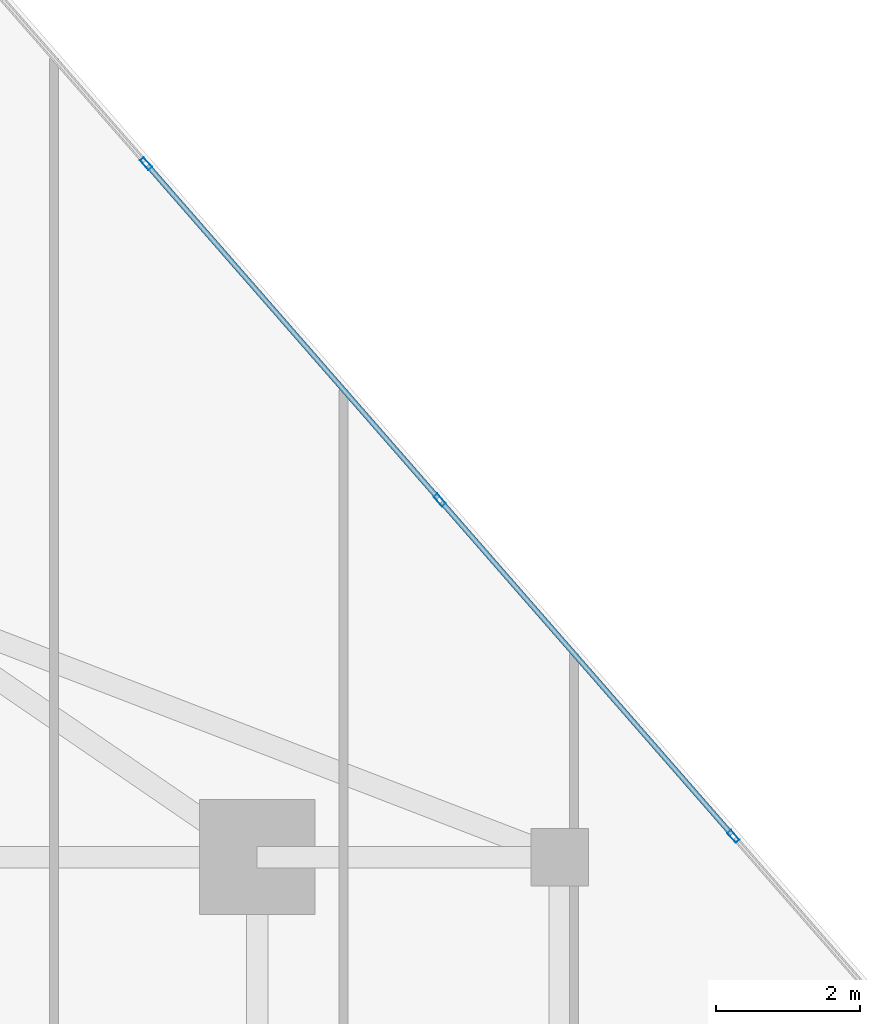
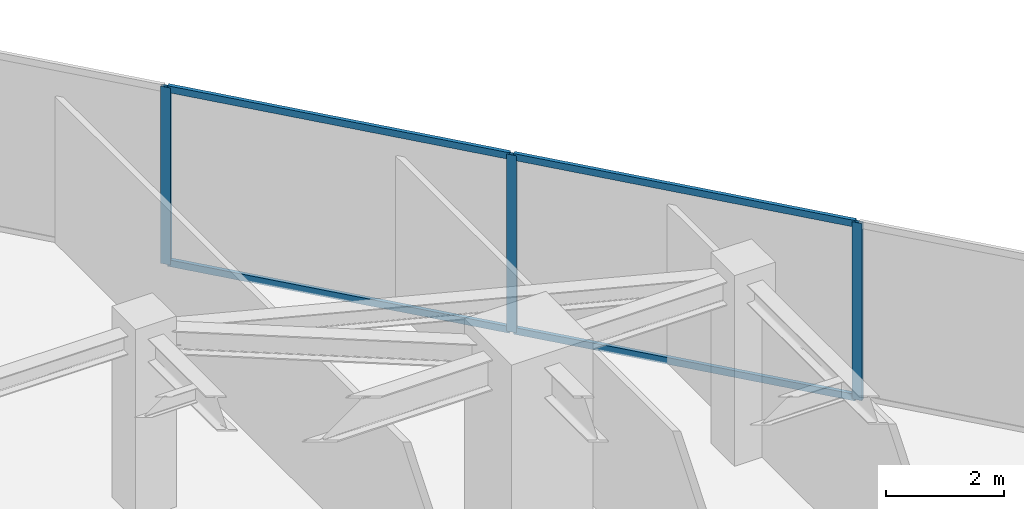
# One storey, part 18 of 24: 7 members, 1 element without a shape of its own.
"""IFC4 building model written with IfcOpenShell, lengths in metres."""

from ifc_helpers import new_model, si_unit, direction, frame, origin, origin_2d, place, context, subcontext, project, spatial, hollow_rectangle, extrude, source, transform, mapped, material, material_profile, profile_set, type_object, type_shapes, element, aggregate, save


model = new_model("IFC4")

# Units and contexts
model_context = context("Model", 3, precision=1e-05, world=origin(), true_north=direction((0.0, 1.0)))
body_context = subcontext(model_context, "Body", "Model", "MODEL_VIEW")
ifc_project = project(units=[si_unit("LENGTHUNIT", "METRE"), si_unit("AREAUNIT", "SQUARE_METRE"), si_unit("VOLUMEUNIT", "CUBIC_METRE"), si_unit("PLANEANGLEUNIT", "RADIAN"), si_unit("MASSUNIT", "GRAM", prefix="KILO")], contexts=[model_context])

# Site, building, storey
site_placement = place(None, origin())
site = spatial("IfcSite", under=ifc_project, at=site_placement, CompositionType="ELEMENT")
building_placement = place(site_placement, origin())
building = spatial("IfcBuilding", under=site, at=building_placement, Name="Krantzveldt Concourse Tower", CompositionType="ELEMENT")
storey_placement = place(building_placement, frame((0.0, 0.0, 254.699951171875)))
storey = spatial("IfcBuildingStorey", under=building, at=storey_placement, Name="L62", CompositionType="ELEMENT", Elevation=254.699951171875)

# Curtain wall, members
ifc_material = material(Name="Anodised aluminium 6063-T6", Category="aluminium")
curtain_wall_type = type_object("IfcCurtainWallType", Name="CW3", PredefinedType="USERDEFINED", material=ifc_material)
curtain_wall_placement = place(storey_placement, origin())
curtain_wall = element("IfcCurtainWall", 1, at=curtain_wall_placement, inside=storey, type_object=curtain_wall_type, Name="CW-L62-F10", ObjectType="UNITISED CURTAIN WALL", PredefinedType="USERDEFINED")
ifc_material_profile_1 = material_profile(ifc_material, hollow_rectangle(XDim=0.070068359375, YDim=0.179931640625, WallThickness=0.0048828125, at=origin_2d()), Name="Anodised aluminium 6063-T6", Category="aluminium")
ifc_profile_set_1 = profile_set([ifc_material_profile_1], Name="Anodised aluminium 6063-T6 - ALU-MULL 180x70x5")
member_type_1 = type_object("IfcMemberType", Name="CW-MUL-180", PredefinedType="MULLION", material=ifc_profile_set_1)
shared_shape_1 = source(origin(), body_context, "Body", "SweptSolid", [
    extrude(hollow_rectangle(XDim=0.070068359375, YDim=0.179931640625, WallThickness=0.0048828125, at=origin_2d()), origin(), (0.0, 0.0, 1.0), 3.670166015625),
])
type_shapes(member_type_1, [shared_shape_1])
member_1_placement = place(storey_placement, frame((53.413330078125, 37.78857421875, 0.0), z_axis=(0.0, 0.0, 1.0), x_axis=(-0.753276529034, -0.657703938567, 0.0)))
member_1 = element("IfcMember", 2, at=member_1_placement, type_object=member_type_1, Name="CW-Z34 mullion 3", PredefinedType="MULLION", context=body_context, shape_type="MappedRepresentation", body=[
    mapped(shared_shape_1, transform((0.0, 0.0, 0.0), x_axis=(1.0, 0.0, 0.0), y_axis=(0.0, 1.0, 0.0), z_axis=(0.0, 0.0, 1.0), scale=1.0)),
])
member_2_placement = place(storey_placement, frame((49.33544921875, 42.458984375, 0.0), z_axis=(0.0, 0.0, 1.0), x_axis=(-0.753276529034, -0.657703938567, 0.0)))
member_2 = element("IfcMember", 3, at=member_2_placement, type_object=member_type_1, Name="CW-Z34 mullion 4", PredefinedType="MULLION", context=body_context, shape_type="MappedRepresentation", body=[
    mapped(shared_shape_1, transform((0.0, 0.0, 0.0), x_axis=(1.0, 0.0, 0.0), y_axis=(0.0, 1.0, 0.0), z_axis=(0.0, 0.0, 1.0), scale=1.0)),
])
member_3_placement = place(storey_placement, frame((45.2578125, 47.129150390625, 0.0), z_axis=(0.0, 0.0, 1.0), x_axis=(-0.753276529034, -0.657703938567, 0.0)))
member_3 = element("IfcMember", 4, at=member_3_placement, type_object=member_type_1, Name="CW-Z34 mullion 5", PredefinedType="MULLION", context=body_context, shape_type="MappedRepresentation", body=[
    mapped(shared_shape_1, transform((0.0, 0.0, 0.0), x_axis=(1.0, 0.0, 0.0), y_axis=(0.0, 1.0, 0.0), z_axis=(0.0, 0.0, 1.0), scale=1.0)),
])
ifc_material_profile_2 = material_profile(ifc_material, hollow_rectangle(XDim=0.070068359375, YDim=0.139892578125, WallThickness=0.0048828125, at=origin_2d()), Name="Anodised aluminium 6063-T6", Category="aluminium")
ifc_profile_set_2 = profile_set([ifc_material_profile_2], Name="Anodised aluminium 6063-T6 - ALU-TRAN 140x70x5")
member_type_2 = type_object("IfcMemberType", Name="CW-TRN-150", PredefinedType="USERDEFINED", material=ifc_profile_set_2)
shared_shape_2 = source(origin(), body_context, "Body", "SweptSolid", [
    extrude(hollow_rectangle(XDim=0.070068359375, YDim=0.139892578125, WallThickness=0.0048828125, at=origin_2d()), origin(), (0.0, 0.0, 1.0), 6.130126953125),
])
member_4_placement = place(storey_placement, frame((53.39013671875, 37.81494140625, 0.03515625), z_axis=(-0.657697827635, 0.753281864593, 0.0), x_axis=(-0.753281864593, -0.657697827635, 0.0)))
member_4 = element("IfcMember", 5, at=member_4_placement, type_object=member_type_2, Name="CW-Z34 transom 3.1", ObjectType="TRANSOM", PredefinedType="USERDEFINED", context=body_context, shape_type="MappedRepresentation", body=[
    mapped(shared_shape_2, transform((0.0, 0.0, 0.0), x_axis=(1.0, 0.0, 0.0), y_axis=(0.0, 1.0, 0.0), z_axis=(0.0, 0.0, 1.0), scale=1.0)),
])
member_5_placement = place(storey_placement, frame((53.39013671875, 37.81494140625, 3.635009765625), z_axis=(-0.657697827635, 0.753281864593, 0.0), x_axis=(-0.753281864593, -0.657697827635, 0.0)))
member_5 = element("IfcMember", 6, at=member_5_placement, type_object=member_type_2, Name="CW-Z34 transom 3.2", ObjectType="TRANSOM", PredefinedType="USERDEFINED", context=body_context, shape_type="MappedRepresentation", body=[
    mapped(shared_shape_2, transform((0.0, 0.0, 0.0), x_axis=(1.0, 0.0, 0.0), y_axis=(0.0, 1.0, 0.0), z_axis=(0.0, 0.0, 1.0), scale=1.0)),
])
shared_shape_3 = source(origin(), body_context, "Body", "SweptSolid", [
    extrude(hollow_rectangle(XDim=0.070068359375, YDim=0.139892578125, WallThickness=0.0048828125, at=origin_2d()), origin(), (0.0, 0.0, 1.0), 6.1298828125),
])
type_shapes(member_type_2, [shared_shape_2, shared_shape_3])
member_6_placement = place(storey_placement, frame((49.3125, 42.4853515625, 0.03515625), z_axis=(-0.657717559408, 0.753264636132, 0.0), x_axis=(-0.753264636132, -0.657717559408, 0.0)))
member_6 = element("IfcMember", 7, at=member_6_placement, type_object=member_type_2, Name="CW-Z34 transom 4.1", ObjectType="TRANSOM", PredefinedType="USERDEFINED", context=body_context, shape_type="MappedRepresentation", body=[
    mapped(shared_shape_3, transform((0.0, 0.0, 0.0), x_axis=(1.0, 0.0, 0.0), y_axis=(0.0, 1.0, 0.0), z_axis=(0.0, 0.0, 1.0), scale=1.0)),
])
member_7_placement = place(storey_placement, frame((49.3125, 42.4853515625, 3.635009765625), z_axis=(-0.657717559408, 0.753264636132, 0.0), x_axis=(-0.753264636132, -0.657717559408, 0.0)))
member_7 = element("IfcMember", 8, at=member_7_placement, type_object=member_type_2, Name="CW-Z34 transom 4.2", ObjectType="TRANSOM", PredefinedType="USERDEFINED", context=body_context, shape_type="MappedRepresentation", body=[
    mapped(shared_shape_3, transform((0.0, 0.0, 0.0), x_axis=(1.0, 0.0, 0.0), y_axis=(0.0, 1.0, 0.0), z_axis=(0.0, 0.0, 1.0), scale=1.0)),
])
aggregate(curtain_wall, [member_1, member_2, member_3, member_4, member_5, member_6, member_7])

save(model, "model.ifc")
